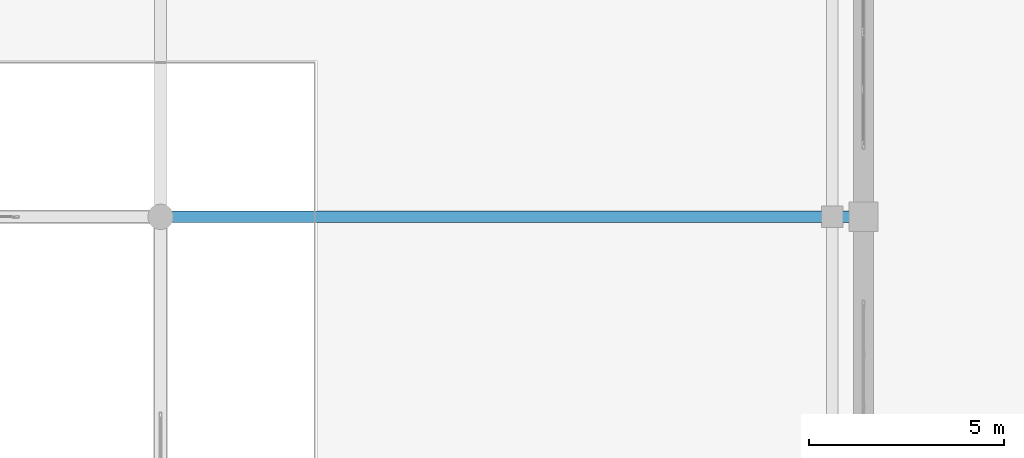
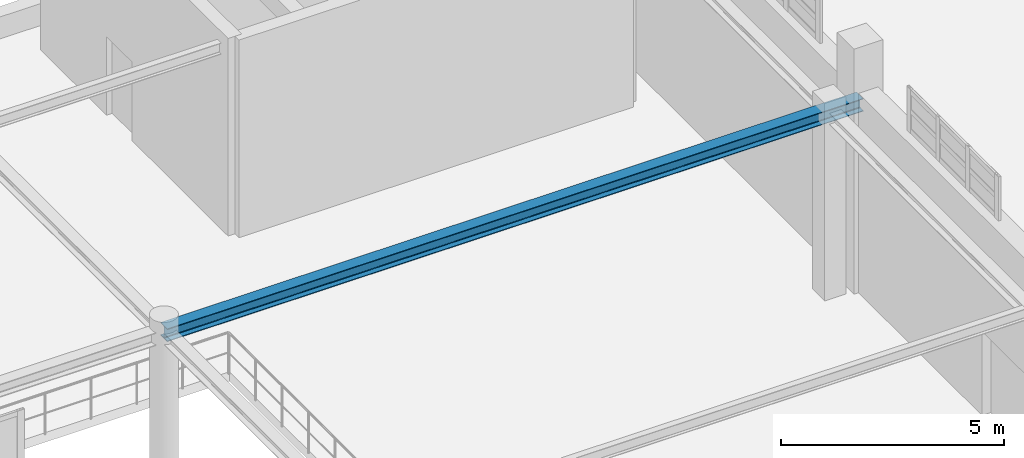
# One storey, part 125 of 197: 1 beam.
"""IFC4 building model written with IfcOpenShell, lengths in metres."""

from ifc_helpers import new_model, si_unit, derived_unit, direction, frame, origin, origin_2d, place, context, subcontext, project, spatial, i_section, extrude, material, material_profile, profile_set, type_object, element, save


model = new_model("IFC4")

# Units and contexts
model_context = context("Model", 3, precision=1e-05, world=origin(), true_north=direction((0.0, 1.0)))
body_context = subcontext(model_context, "Body", "Model", "MODEL_VIEW")
ifc_project = project(units=[si_unit("LENGTHUNIT", "METRE"), si_unit("AREAUNIT", "SQUARE_METRE"), si_unit("VOLUMEUNIT", "CUBIC_METRE"), si_unit("PLANEANGLEUNIT", "RADIAN"), si_unit("MASSUNIT", "GRAM", prefix="KILO"), derived_unit("THERMALTRANSMITTANCEUNIT", [(si_unit("POWERUNIT", "WATT"), 1), (si_unit("LENGTHUNIT", "METRE"), -2), (si_unit("THERMODYNAMICTEMPERATUREUNIT", "KELVIN"), -1)])], contexts=[model_context])

# Site, building, storey
site_placement = place(None, origin())
site = spatial("IfcSite", under=ifc_project, at=site_placement, CompositionType="ELEMENT")
building_placement = place(site_placement, origin())
building = spatial("IfcBuilding", under=site, at=building_placement, Name="Almenara Railside Exhibition Hall", CompositionType="ELEMENT")
storey_placement = place(building_placement, frame((0.0, 0.0, 5.39990234375)))
storey = spatial("IfcBuildingStorey", under=building, at=storey_placement, Name="L01", CompositionType="ELEMENT", Elevation=5.39990234375)

# Beam
ifc_material = material(Name="Structural steel S355JR", Category="steel")
ifc_material_profile = material_profile(ifc_material, i_section(OverallWidth=0.300048828125, OverallDepth=0.35009765625, WebThickness=0.010009765625, FlangeThickness=0.017578125, FilletRadius=0.027099609375, at=origin_2d()), Name="HEA 360")
ifc_profile_set = profile_set([ifc_material_profile], Name="Structural steel S355JR")
beam_type = type_object("IfcBeamType", Name="Steel Concourse Frame Beam HEA 360 S355JR", PredefinedType="BEAM", material=ifc_profile_set)
beam_placement = place(storey_placement, frame((120.0, 90.0, 4.9111328125), z_axis=(1.0, 0.0, 0.0), x_axis=(0.0, 1.0, 0.0)))
element("IfcBeam", 1, at=beam_placement, inside=storey, type_object=beam_type, Name="Beam 0805", PredefinedType="BEAM", context=body_context, shape_type="SweptSolid", body=[
    extrude(i_section(OverallWidth=0.300048828125, OverallDepth=0.35009765625, WebThickness=0.010009765625, FlangeThickness=0.017578125, FilletRadius=0.027099609375, at=origin_2d()), origin(), (0.0, 0.0, 1.0), 18.0),
])

save(model, "model.ifc")
